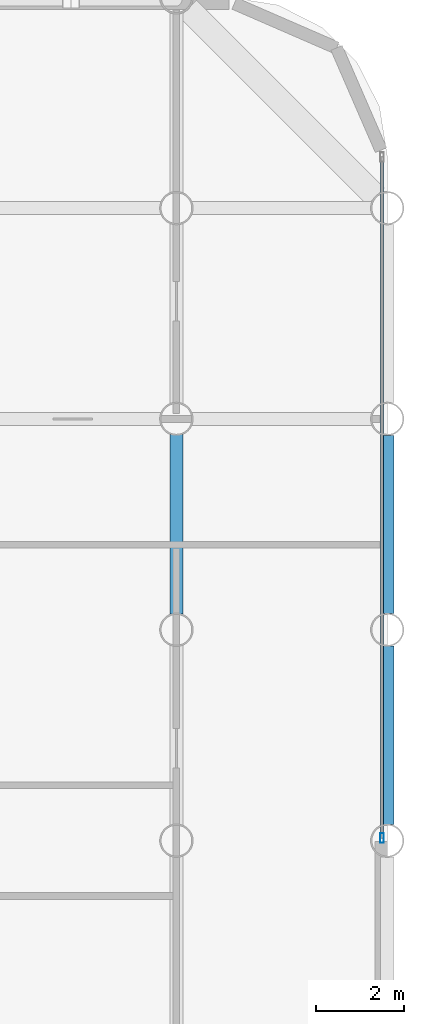
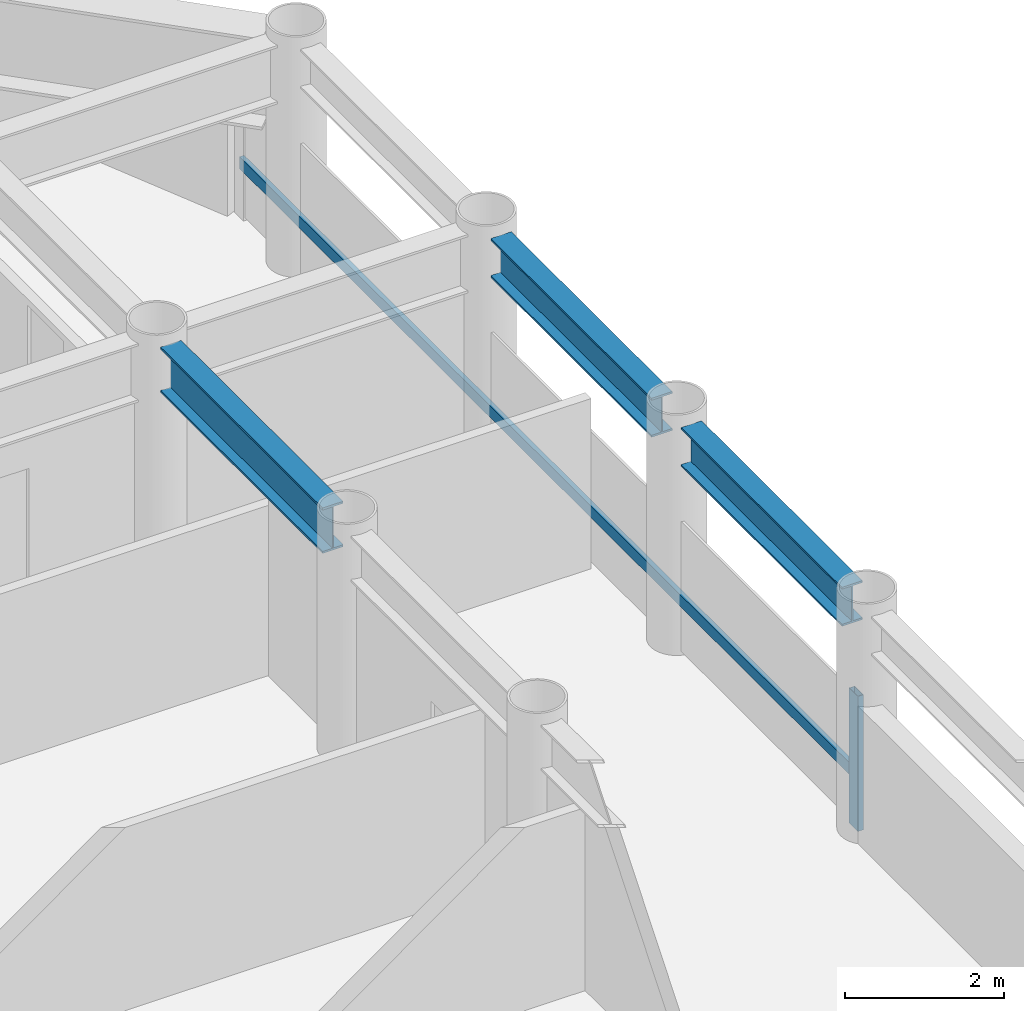
# One storey, part 8 of 19: 3 beams, 2 members, 1 element without a shape of its own.
"""IFC4 building model written with IfcOpenShell, lengths in metres."""

from ifc_helpers import new_model, si_unit, direction, frame, origin, origin_2d, place, context, subcontext, project, spatial, hollow_rectangle, i_section, extrude, material, layer, layer_set, material_profile, profile_set, type_object, element, aggregate, save


model = new_model("IFC4")

# Units and contexts
model_context = context("Model", 3, precision=1e-05, world=origin(), true_north=direction((0.0, 1.0)))
body_context = subcontext(model_context, "Body", "Model", "MODEL_VIEW")
ifc_project = project(units=[si_unit("LENGTHUNIT", "METRE"), si_unit("AREAUNIT", "SQUARE_METRE"), si_unit("VOLUMEUNIT", "CUBIC_METRE"), si_unit("PLANEANGLEUNIT", "RADIAN"), si_unit("MASSUNIT", "GRAM", prefix="KILO")], contexts=[model_context])

# Site, building, storey
site_placement = place(None, origin())
site = spatial("IfcSite", under=ifc_project, at=site_placement, CompositionType="ELEMENT")
building_placement = place(site_placement, origin())
building = spatial("IfcBuilding", under=site, at=building_placement, Name="Kallvorn Hotel Tower", CompositionType="ELEMENT")
storey_placement = place(building_placement, frame((0.0, 0.0, 67.0)))
storey = spatial("IfcBuildingStorey", under=building, at=storey_placement, Name="L15", CompositionType="ELEMENT", Elevation=67.0)

# Beams
ifc_material_1 = material(Name="Structural steel S355JR", Category="steel")
ifc_material_profile_1 = material_profile(ifc_material_1, i_section(OverallWidth=0.300048828125, OverallDepth=0.60009765625, WebThickness=0.015380859375, FlangeThickness=0.030029296875, at=origin_2d()), Name="HE 600 B")
ifc_profile_set_1 = profile_set([ifc_material_profile_1], Name="Structural steel S355JR")
beam_type_1 = type_object("IfcBeamType", Name="BM_HE600B", PredefinedType="SPANDREL", material=ifc_profile_set_1)
beam_1_placement = place(storey_placement, frame((33.60009765625, 0.37109375, 3.219970703125), z_axis=(0.0, 1.0, 0.0), x_axis=(-1.0, 0.0, 0.0)))
element("IfcBeam", 1, at=beam_1_placement, inside=storey, type_object=beam_type_1, Name="L16 Perimeter Spandrel 186", PredefinedType="SPANDREL", context=body_context, shape_type="SweptSolid", body=[
    extrude(i_section(OverallWidth=0.300048828125, OverallDepth=0.60009765625, WebThickness=0.015380859375, FlangeThickness=0.030029296875, at=origin_2d()), origin(), (0.0, 0.0, 1.0), 4.057861328125),
])
beam_2_placement = place(storey_placement, frame((33.60009765625, 5.1708984375, 3.219970703125), z_axis=(0.0, 1.0, 0.0), x_axis=(-1.0, 0.0, 0.0)))
element("IfcBeam", 2, at=beam_2_placement, inside=storey, type_object=beam_type_1, Name="L16 Perimeter Spandrel 187", PredefinedType="SPANDREL", context=body_context, shape_type="SweptSolid", body=[
    extrude(i_section(OverallWidth=0.300048828125, OverallDepth=0.60009765625, WebThickness=0.015380859375, FlangeThickness=0.030029296875, at=origin_2d()), origin(), (0.0, 0.0, 1.0), 4.05810546875),
])
ifc_material_2 = material(Name="Structural steel S355JR", Category="steel")
ifc_material_profile_2 = material_profile(ifc_material_2, i_section(OverallWidth=0.300048828125, OverallDepth=0.699951171875, WebThickness=0.01708984375, FlangeThickness=0.031982421875, at=origin_2d()), Name="HE 700 B")
ifc_profile_set_2 = profile_set([ifc_material_profile_2], Name="Structural steel S355JR")
beam_type_2 = type_object("IfcBeamType", Name="BM_HE700B", PredefinedType="BEAM", material=ifc_profile_set_2)
beam_3_placement = place(storey_placement, frame((28.800048828125, 5.156005859375, 3.169921875), z_axis=(0.0, 1.0, 0.0), x_axis=(-1.0, 0.0, 0.0)))
element("IfcBeam", 3, at=beam_3_placement, inside=storey, type_object=beam_type_2, Name="L16 Primary Y-Girder 148", PredefinedType="BEAM", context=body_context, shape_type="SweptSolid", body=[
    extrude(i_section(OverallWidth=0.300048828125, OverallDepth=0.699951171875, WebThickness=0.01708984375, FlangeThickness=0.031982421875, at=origin_2d()), origin(), (0.0, 0.0, 1.0), 4.087890625),
])

# Curtain wall, members
ifc_material_3 = material(Name="Thermally broken black-anodised aluminium AA 6063-T6", Category="aluminium")
ifc_layer = layer(ifc_material_3, 0.199951171875)
ifc_layer_set = layer_set([ifc_layer], Name="CW_SYS_3_HOTEL_LOW")
curtain_wall_type = type_object("IfcCurtainWallType", Name="CW_SYS_3_HOTEL_LOW", PredefinedType="USERDEFINED", material=ifc_layer_set)
curtain_wall_placement = place(storey_placement, origin())
curtain_wall = element("IfcCurtainWall", 4, at=curtain_wall_placement, inside=storey, type_object=curtain_wall_type, Name="L15 Dark-Glass Curtain Wall CW-L15-EN", ObjectType="UNITISED CURTAIN WALL", PredefinedType="USERDEFINED")
ifc_material_4 = material(Name="Thermally broken black-anodised aluminium AA 6063-T6", Category="aluminium")
ifc_material_profile_3 = material_profile(ifc_material_4, hollow_rectangle(XDim=0.080078125, YDim=0.219970703125, WallThickness=0.0048828125, at=origin_2d()), Name="MUL 220x80")
ifc_profile_set_3 = profile_set([ifc_material_profile_3], Name="Thermally broken black-anodised aluminium AA 6063-T6")
member_type_1 = type_object("IfcMemberType", Name="CW_MULLION_220x80", PredefinedType="MULLION", material=ifc_profile_set_3)
member_1_placement = place(storey_placement, frame((33.47998046875, 0.06005859375, 0.02001953125), z_axis=(0.0, 0.0, 1.0), x_axis=(1.0, 0.0, 0.0)))
member_1 = element("IfcMember", 5, at=member_1_placement, type_object=member_type_1, Name="CW-L15-EN Mullion 00", PredefinedType="MULLION", context=body_context, shape_type="SweptSolid", body=[
    extrude(hollow_rectangle(XDim=0.080078125, YDim=0.219970703125, WallThickness=0.0048828125, at=origin_2d()), origin(), (0.0, 0.0, 1.0), 2.080078125),
])
ifc_material_5 = material(Name="Thermally broken black-anodised aluminium AA 6063-T6", Category="aluminium")
ifc_material_profile_4 = material_profile(ifc_material_5, hollow_rectangle(XDim=0.070068359375, YDim=0.179931640625, WallThickness=0.00390625, at=origin_2d()), Name="TRN 180x70")
ifc_profile_set_4 = profile_set([ifc_material_profile_4], Name="Thermally broken black-anodised aluminium AA 6063-T6")
member_type_2 = type_object("IfcMemberType", Name="CW_TRANSOM_180x70", PredefinedType="USERDEFINED", material=ifc_profile_set_4)
member_2_placement = place(storey_placement, frame((33.47998046875, 0.06005859375, 0.85009765625), z_axis=(0.0, 1.0, 0.0), x_axis=(-1.0, 0.0, 0.0)))
member_2 = element("IfcMember", 6, at=member_2_placement, type_object=member_type_2, Name="CW-L15-EN Transom 00M", ObjectType="TRANSOM", PredefinedType="USERDEFINED", context=body_context, shape_type="SweptSolid", body=[
    extrude(hollow_rectangle(XDim=0.070068359375, YDim=0.179931640625, WallThickness=0.00390625, at=origin_2d()), origin(), (0.0, 0.0, 1.0), 15.5),
])
aggregate(curtain_wall, [member_1, member_2])

save(model, "model.ifc")
